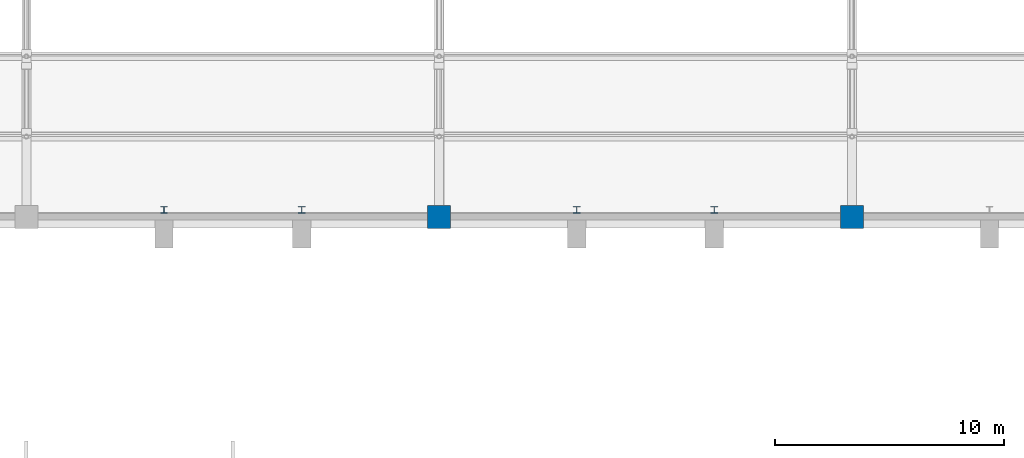
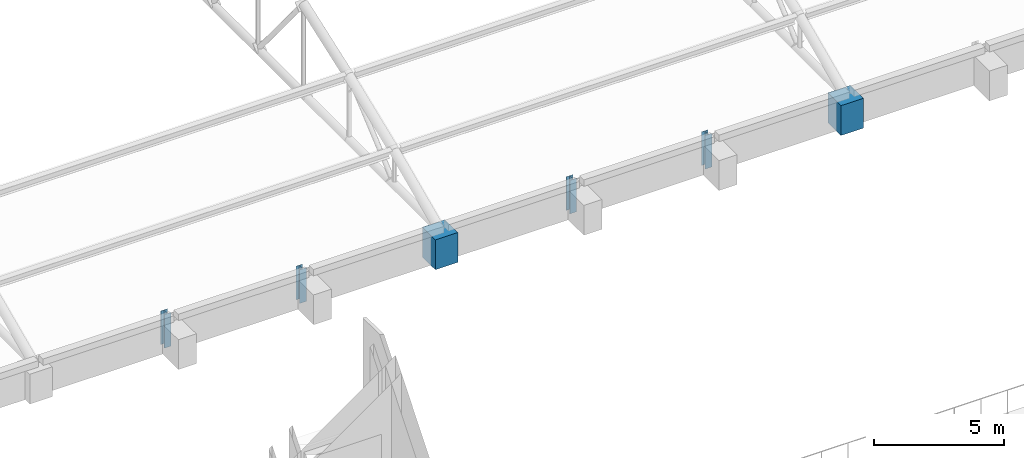
# One storey, part 9 of 196: 6 columns.
"""IFC4 building model written with IfcOpenShell, lengths in metres."""

from ifc_helpers import new_model, si_unit, direction, frame, origin, origin_2d, place, context, subcontext, project, spatial, rectangle, i_section, extrude, material, material_profile, profile_set, type_object, element, save


model = new_model("IFC4")

# Units and contexts
model_context = context("Model", 3, precision=1e-05, world=origin(), true_north=direction((0.0, 1.0)))
body_context = subcontext(model_context, "Body", "Model", "MODEL_VIEW")
ifc_project = project(units=[si_unit("LENGTHUNIT", "METRE"), si_unit("AREAUNIT", "SQUARE_METRE"), si_unit("VOLUMEUNIT", "CUBIC_METRE"), si_unit("PLANEANGLEUNIT", "RADIAN"), si_unit("MASSUNIT", "GRAM", prefix="KILO")], contexts=[model_context])

# Site, building, storey
site_placement = place(None, origin())
site = spatial("IfcSite", under=ifc_project, at=site_placement, CompositionType="ELEMENT")
building_placement = place(site_placement, origin())
building = spatial("IfcBuilding", under=site, at=building_placement, Name="Okhra Congress Centre", CompositionType="ELEMENT")
storey_placement = place(building_placement, frame((0.0, 0.0, 12.0)))
storey = spatial("IfcBuildingStorey", under=building, at=storey_placement, Name="L02", CompositionType="ELEMENT", Elevation=12.0)

# Columns
ifc_material_1 = material(Name="Steel S355J2", Category="steel")
ifc_material_profile_1 = material_profile(ifc_material_1, i_section(OverallWidth=0.300048828125, OverallDepth=0.2900390625, WebThickness=0.008544921875, FlangeThickness=0.013916015625, at=origin_2d()), Name="HE 300 A")
ifc_profile_set_1 = profile_set([ifc_material_profile_1], Name="Steel S355J2")
column_type_1 = type_object("IfcColumnType", Name="HE 300 A", PredefinedType="COLUMN", material=ifc_profile_set_1)
for number, where, z_axis, x_axis, name in (
    (1, (70.0, 132.300048828125, 0.0), (0.0, 0.0, 1.0), (1.0, 0.0, 0.0), "EH.COL.L02.WP5"),
    (2, (76.0, 132.300048828125, 0.0), (0.0, 0.0, 1.0), (1.0, 0.0, 0.0), "EH.COL.L02.WP6"),
    (3, (88.0, 132.300048828125, 0.0), (0.0, 0.0, 1.0), (1.0, 0.0, 0.0), "EH.COL.L02.WP7"),
    (4, (94.0, 132.300048828125, 0.0), (0.0, 0.0, 1.0), (1.0, 0.0, 0.0), "EH.COL.L02.WP8"),
):
    element("IfcColumn", number, at=place(storey_placement, frame(where, z_axis=z_axis, x_axis=x_axis)), inside=storey, type_object=column_type_1, Name=name, PredefinedType="COLUMN", context=body_context, shape_type="SweptSolid", body=[
        extrude(i_section(OverallWidth=0.300048828125, OverallDepth=0.2900390625, WebThickness=0.008544921875, FlangeThickness=0.013916015625, at=origin_2d()), origin(), (0.0, 0.0, 1.0), 1.57666015625),
    ])
ifc_material_2 = material(Name="Concrete C40/50", Category="concrete")
ifc_material_profile_2 = material_profile(ifc_material_2, rectangle(XDim=1.0, YDim=1.0, at=origin_2d()), Name="RC 1000x1000")
ifc_profile_set_2 = profile_set([ifc_material_profile_2], Name="Concrete C40/50")
column_type_2 = type_object("IfcColumnType", Name="RC column 1000x1000 C40/50", PredefinedType="COLUMN", material=ifc_profile_set_2)
for number, where, z_axis, x_axis, name in (
    (5, (82.0, 132.0, 0.0), (0.0, 0.0, 1.0), (1.0, 0.0, 0.0), "EH.COL.L02.SC7"),
    (6, (100.0, 132.0, 0.0), (0.0, 0.0, 1.0), (1.0, 0.0, 0.0), "EH.COL.L02.SC9"),
):
    element("IfcColumn", number, at=place(storey_placement, frame(where, z_axis=z_axis, x_axis=x_axis)), inside=storey, type_object=column_type_2, Name=name, PredefinedType="COLUMN", context=body_context, shape_type="SweptSolid", body=[
        extrude(rectangle(XDim=1.0, YDim=1.0, at=origin_2d()), origin(), (0.0, 0.0, 1.0), 1.39990234375),
    ])

save(model, "model.ifc")
